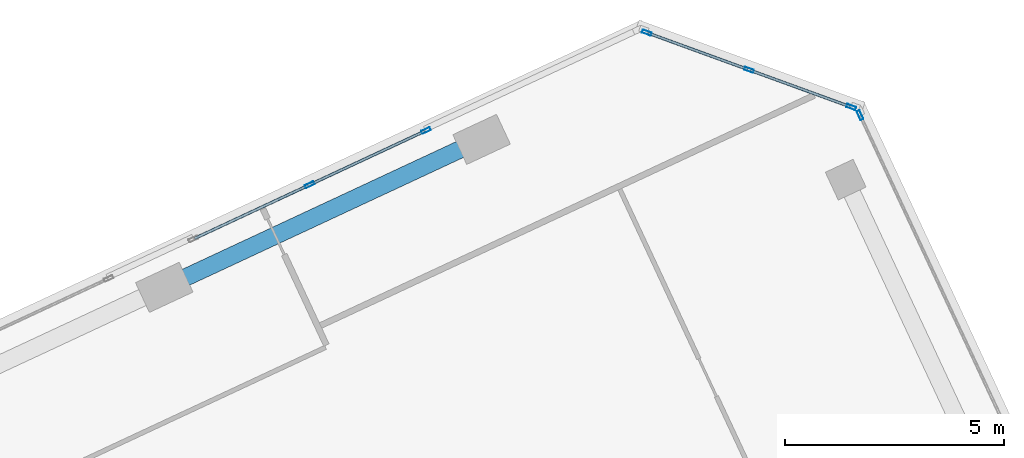
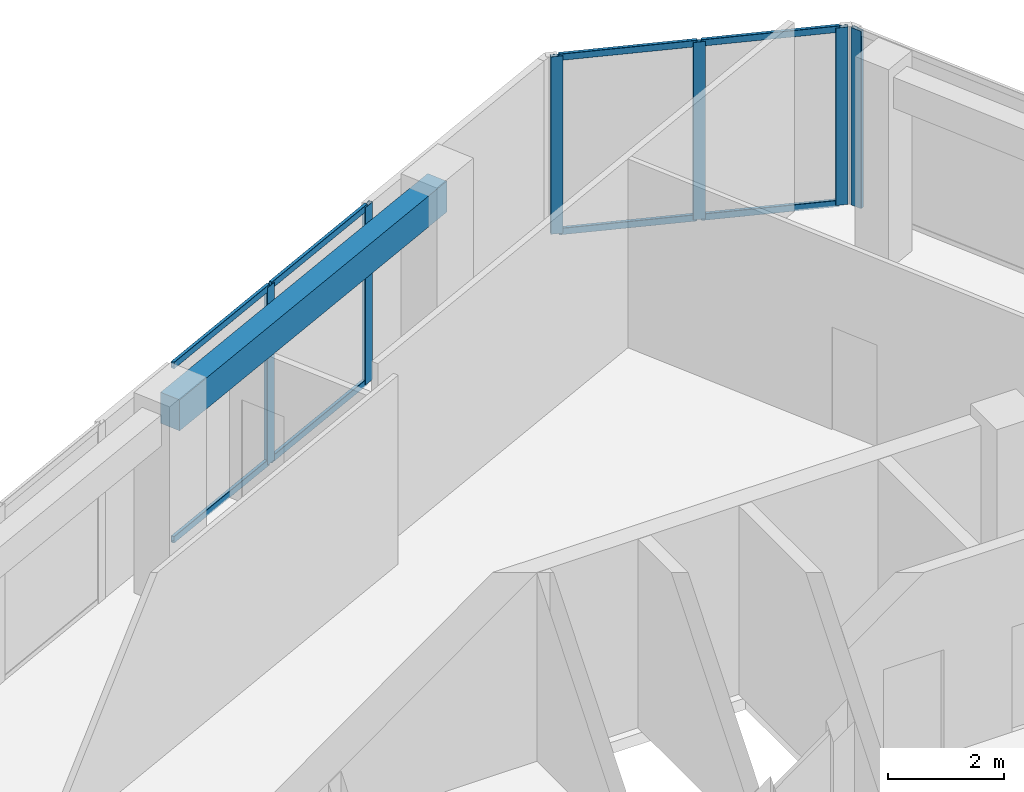
# One storey, part 10 of 17: 14 members, 1 beam, 3 elements without a shape of their own.
"""IFC4 building model written with IfcOpenShell, lengths in metres."""

import ifcopenshell
import ifcopenshell.guid

model = None  # the IFC model being written
_history = None  # IfcOwnerHistory: only IFC2X3 demands one
_inside = {}  # id of a spatial element -> (the spatial element, [elements in it])
_under = {}  # id of a project, library or spatial element -> (it, [spatial elements below it])
_declared = {}  # id of a project -> (the project, [libraries it declares])
_typed = {}  # id of a type object -> (the type object, [elements of that type])
_made_of = {}  # id of a material, layer set ... -> (it, [elements and type objects made of it])


def new_model(schema):
    """Start an empty IFC model of exactly this schema.

    Asked for "IFC4X3", IfcOpenShell would pick the latest addendum, in which some entities
    have other attributes; the version numbers below select the first issue.
    IFC2X3 requires an IfcOwnerHistory on every rooted entity: one is made here for all.
    """
    global model, _history
    if schema == "IFC4X3":
        model = ifcopenshell.file(schema_version=(4, 3, 0, 0))
    else:
        model = ifcopenshell.file(schema=schema)
    _inside.clear()
    _under.clear()
    _declared.clear()
    _typed.clear()
    _made_of.clear()
    _history = None
    if model.schema == "IFC2X3":
        org = make("IfcOrganization", Name="unknown")
        user = make(
            "IfcPersonAndOrganization",
            ThePerson=make("IfcPerson", FamilyName="unknown"),
            TheOrganization=org,
        )
        app = make(
            "IfcApplication",
            ApplicationDeveloper=org,
            Version="unknown",
            ApplicationFullName="unknown",
            ApplicationIdentifier="unknown",
        )
        _history = make(
            "IfcOwnerHistory",
            OwningUser=user,
            OwningApplication=app,
            ChangeAction="ADDED",
            CreationDate=0,
        )
    return model


def make(cls, **values):
    """One entity of the class cls with the attributes given. An attribute that is None is left unset."""
    return model.create_entity(
        cls, **{name: value for name, value in values.items() if value is not None}
    )


def rooted(cls, **values):
    """An entity with a GlobalId (a new one), such as an element, a storey or a relation."""
    return make(cls, GlobalId=ifcopenshell.guid.new(), OwnerHistory=_history, **values)


def si_unit(unit_type, name, prefix=None):
    """IfcSIUnit, for example si_unit("LENGTHUNIT", "METRE", prefix="MILLI")."""
    return make("IfcSIUnit", UnitType=unit_type, Prefix=prefix, Name=name)


def assignment(units):
    """IfcUnitAssignment: the units of a project."""
    return None if units is None else make("IfcUnitAssignment", Units=units)


def point(xyz):
    """IfcCartesianPoint."""
    return None if xyz is None else make("IfcCartesianPoint", Coordinates=xyz)


def direction(xyz):
    """IfcDirection."""
    return None if xyz is None else make("IfcDirection", DirectionRatios=xyz)


def frame(location, z_axis=None, x_axis=None):
    """IfcAxis2Placement3D, a coordinate frame: its origin and axes. An axis left out is left unset."""
    return make(
        "IfcAxis2Placement3D",
        Location=point(location),
        Axis=direction(z_axis),
        RefDirection=direction(x_axis),
    )


def frame_2d(location, x_axis=None):
    """IfcAxis2Placement2D, a coordinate frame in the plane: its origin and x axis."""
    return make(
        "IfcAxis2Placement2D", Location=point(location), RefDirection=direction(x_axis)
    )


def origin():
    """The frame at (0, 0, 0) with its axes left unset."""
    return frame((0.0, 0.0, 0.0))


def origin_2d():
    """The frame at (0, 0) in the plane with its x axis left unset."""
    return frame_2d((0.0, 0.0))


def place(relative_to, where):
    """IfcLocalPlacement: puts the frame where relative to a parent placement (None: the world)."""
    return make(
        "IfcLocalPlacement", PlacementRelTo=relative_to, RelativePlacement=where
    )


def context(
    kind, dimensions, precision=None, world=None, true_north=None, identifier=None
):
    """IfcGeometricRepresentationContext, for example the 3D "Model" context."""
    return make(
        "IfcGeometricRepresentationContext",
        ContextIdentifier=identifier,
        ContextType=kind,
        CoordinateSpaceDimension=dimensions,
        Precision=precision,
        WorldCoordinateSystem=world,
        TrueNorth=true_north,
    )


def subcontext(parent, identifier, kind, view, scale=None):
    """IfcGeometricRepresentationSubContext, for example "Body" below "Model"."""
    return make(
        "IfcGeometricRepresentationSubContext",
        ContextIdentifier=identifier,
        ContextType=kind,
        ParentContext=parent,
        TargetScale=scale,
        TargetView=view,
    )


def project(units=None, contexts=None):
    """IfcProject with its units and contexts."""
    return rooted(
        "IfcProject",
        Name="project",
        RepresentationContexts=contexts,
        UnitsInContext=assignment(units),
    )


def spatial(cls, under=None, at=None, **own):
    """A site, building, storey or space (cls), placed at a placement, below another one or the project."""
    s = rooted(cls, ObjectPlacement=at, **own)
    if under is not None:
        _under.setdefault(under.id(), (under, []))[1].append(s)
    return s


def profile(cls, at=None, kind="AREA", **sizes):
    """A parametric profile (cls). Its sizes go by their IFC names, for example OverallWidth=200.0."""
    return make(cls, ProfileType=kind, Position=at, **sizes)


def rectangle(**sizes):
    """IfcRectangleProfileDef."""
    return profile("IfcRectangleProfileDef", **sizes)


def hollow_rectangle(**sizes):
    """IfcRectangleHollowProfileDef."""
    return profile("IfcRectangleHollowProfileDef", **sizes)


def extrude(swept, where, along, depth):
    """IfcExtrudedAreaSolid: the profile swept, set in the frame where, extruded along a direction by depth."""
    return make(
        "IfcExtrudedAreaSolid",
        SweptArea=swept,
        Position=where,
        ExtrudedDirection=direction(along),
        Depth=depth,
    )


def shape(context_of_items, identifier, shape_type, items):
    """IfcShapeRepresentation: the items that make up one representation, for example the "Body"."""
    return make(
        "IfcShapeRepresentation",
        ContextOfItems=context_of_items,
        RepresentationIdentifier=identifier,
        RepresentationType=shape_type,
        Items=items,
    )


def source(mapping_origin, context_of_items, identifier, shape_type, items):
    """IfcRepresentationMap: a shape defined once, which mapped items show again and again."""
    return make(
        "IfcRepresentationMap",
        MappingOrigin=mapping_origin,
        MappedRepresentation=shape(context_of_items, identifier, shape_type, items),
    )


def transform(
    local_origin,
    x_axis=None,
    y_axis=None,
    z_axis=None,
    scale=None,
    scale2=None,
    scale3=None,
    uniform=True,
):
    """IfcCartesianTransformationOperator3D, or its non-uniform kind. x_axis, y_axis, z_axis: its Axis1, 2, 3."""
    if uniform:
        return make(
            "IfcCartesianTransformationOperator3D",
            Axis1=direction(x_axis),
            Axis2=direction(y_axis),
            LocalOrigin=point(local_origin),
            Scale=scale,
            Axis3=direction(z_axis),
        )
    return make(
        "IfcCartesianTransformationOperator3DnonUniform",
        Axis1=direction(x_axis),
        Axis2=direction(y_axis),
        LocalOrigin=point(local_origin),
        Scale=scale,
        Axis3=direction(z_axis),
        Scale2=scale2,
        Scale3=scale3,
    )


def mapped(mapping_source, mapping_target):
    """IfcMappedItem: shows the shape of a source again, moved by a transform."""
    return make(
        "IfcMappedItem", MappingSource=mapping_source, MappingTarget=mapping_target
    )


def material(Name=None, Category=None):
    """IfcMaterial."""
    return make("IfcMaterial", Name=Name, Category=Category)


def material_profile(
    of_material, cross_section, Name=None, Category=None, Priority=None
):
    """IfcMaterialProfile: a cross section and its material."""
    return make(
        "IfcMaterialProfile",
        Name=Name,
        Material=of_material,
        Profile=cross_section,
        Priority=Priority,
        Category=Category,
    )


def profile_set(profiles, Name=None, composite=None):
    """IfcMaterialProfileSet."""
    return make(
        "IfcMaterialProfileSet",
        Name=Name,
        MaterialProfiles=profiles,
        CompositeProfile=composite,
    )


def made_of(thing, what):
    """Note that an element or type object is made of a material, layer set ...; save() writes the relation."""
    if what is not None:
        _made_of.setdefault(what.id(), (what, []))[1].append(thing)
    return thing


def type_object(cls, material=None, **own):
    """A type object (cls), such as IfcWallType, which elements share."""
    return made_of(rooted(cls, **own), material)


def element(
    cls,
    number,
    at=None,
    inside=None,
    cuts=None,
    type_object=None,
    material=None,
    context=None,
    identifier="Body",
    shape_type=None,
    held_by="IfcProductDefinitionShape",
    body=None,
    shapes=None,
    **own,
):
    """One element of the class cls, such as IfcWall. Its Tag is "e" and its number.

    at: its placement. inside: the storey or other place that contains it. cuts: it is an
    opening in that element (IfcRelVoidsElement). A single representation is given by context,
    identifier, shape_type and body (its items); several are given by shapes. held_by: the class
    of the entity that holds the representations. save() writes the other relations.
    """
    e = rooted(cls, Tag="e%d" % number, ObjectPlacement=at, **own)
    if body is not None:
        shapes = [shape(context, identifier, shape_type, body)]
    if shapes is not None:
        e.Representation = make(held_by, Representations=shapes)
    if inside is not None:
        _inside.setdefault(inside.id(), (inside, []))[1].append(e)
    if cuts is not None:
        rooted(
            "IfcRelVoidsElement", RelatingBuildingElement=cuts, RelatedOpeningElement=e
        )
    if type_object is not None:
        _typed.setdefault(type_object.id(), (type_object, []))[1].append(e)
    return made_of(e, material)


def aggregate(whole, parts):
    """IfcRelAggregates: a whole, such as a stair, and the parts it consists of."""
    return rooted("IfcRelAggregates", RelatingObject=whole, RelatedObjects=parts)


def save(model, path):
    """Write the relations noted so far, then the file.

    IfcRelAggregates (storeys below a building ...), IfcRelContainedInSpatialStructure (elements
    in a storey), IfcRelDefinesByType, IfcRelAssociatesMaterial and IfcRelDeclares: one each for
    every whole, place, type object, material and project.
    """
    for whole, parts in _under.values():
        aggregate(whole, parts)
    for where, things in _inside.values():
        rooted(
            "IfcRelContainedInSpatialStructure",
            RelatedElements=things,
            RelatingStructure=where,
        )
    for kind, things in _typed.values():
        rooted("IfcRelDefinesByType", RelatedObjects=things, RelatingType=kind)
    for what, things in _made_of.values():
        rooted("IfcRelAssociatesMaterial", RelatedObjects=things, RelatingMaterial=what)
    for by, libraries in _declared.values():
        rooted("IfcRelDeclares", RelatingContext=by, RelatedDefinitions=libraries)
    model.write(path)


model = new_model("IFC4")

# Units and contexts
model_context = context("Model", 3, precision=1e-05, world=origin(), true_north=direction((0.0, 1.0)))
body_context = subcontext(model_context, "Body", "Model", "MODEL_VIEW")
ifc_project = project(units=[si_unit("LENGTHUNIT", "METRE"), si_unit("AREAUNIT", "SQUARE_METRE"), si_unit("VOLUMEUNIT", "CUBIC_METRE"), si_unit("PLANEANGLEUNIT", "RADIAN"), si_unit("MASSUNIT", "GRAM", prefix="KILO")], contexts=[model_context])

# Site, building, storey
site_placement = place(None, origin())
site = spatial("IfcSite", under=ifc_project, at=site_placement, CompositionType="ELEMENT")
building_placement = place(site_placement, origin())
building = spatial("IfcBuilding", under=site, at=building_placement, Name="Torre Montelarca", CompositionType="ELEMENT")
storey_placement = place(building_placement, frame((0.0, 0.0, 340.800048828125)))
storey = spatial("IfcBuildingStorey", under=building, at=storey_placement, Name="L77", CompositionType="ELEMENT", Elevation=340.800048828125)

# Beam
ifc_material_1 = material(Name="Concrete C40/50", Category="concrete")
ifc_material_profile_1 = material_profile(ifc_material_1, rectangle(XDim=0.39990234375, YDim=0.64990234375, at=origin_2d()), Name="RCB400X650", Category="concrete")
ifc_profile_set_1 = profile_set([ifc_material_profile_1], Name="Concrete C40/50")
beam_type = type_object("IfcBeamType", Name="BM-SP-RC650-EXT", PredefinedType="SPANDREL", material=ifc_profile_set_1)
shared_shape_1 = source(origin(), body_context, "Body", "SweptSolid", [
    extrude(rectangle(XDim=0.39990234375, YDim=0.64990234375, at=origin_2d()), origin(), (0.0, 0.0, 1.0), 8.0),
])
beam_placement = place(storey_placement, frame((14.37890625, 47.271240234375, 3.635009765625), z_axis=(0.906312519031, 0.422608113797, 0.0), x_axis=(-0.422608113797, 0.906312519031, 0.0)))
element("IfcBeam", 1, at=beam_placement, inside=storey, type_object=beam_type, Name="L77 Grid Girder Y 32.0-40.0 at X=4.7", PredefinedType="SPANDREL", context=body_context, shape_type="MappedRepresentation", body=[
    mapped(shared_shape_1, transform((0.0, 0.0, 0.0), scale=1.0)),
])

# Curtain wall, member
ifc_material_2 = material(Name="Insulated low-E laminated glass", Category="glass")
curtain_wall_type = type_object("IfcCurtainWallType", Name="CW-SYS-Z4", PredefinedType="USERDEFINED", material=ifc_material_2)
curtain_wall_1_placement = place(storey_placement, origin())
curtain_wall_1 = element("IfcCurtainWall", 2, at=curtain_wall_1_placement, inside=storey, type_object=curtain_wall_type, Name="L77 Curtain Wall Run CW-T3-L77-E08-B1", ObjectType="UNITISED GLAZING", PredefinedType="USERDEFINED")
ifc_material_3 = material(Name="Anodised aluminium AA 6063-T6", Category="aluminium")
ifc_material_profile_2 = material_profile(ifc_material_3, hollow_rectangle(XDim=0.074951171875, YDim=0.219970703125, WallThickness=0.0048828125, InnerFilletRadius=0.0048828125, OuterFilletRadius=0.010009765625, at=origin_2d()), Name="ALU75X220X5", Category="aluminium")
ifc_profile_set_2 = profile_set([ifc_material_profile_2], Name="Anodised aluminium AA 6063-T6")
member_type_1 = type_object("IfcMemberType", Name="CWM-ALU220", PredefinedType="MULLION", material=ifc_profile_set_2)
shared_shape_2 = source(origin(), body_context, "Body", "SweptSolid", [
    extrude(hollow_rectangle(XDim=0.074951171875, YDim=0.219970703125, WallThickness=0.0048828125, InnerFilletRadius=0.0048828125, OuterFilletRadius=0.010009765625, at=origin_2d()), origin(), (0.0, 0.0, 1.0), 3.719970703125),
])
member_1_placement = place(storey_placement, frame((30.27587890625, 51.204833984375, 0.0), z_axis=(0.0, 0.0, 1.0), x_axis=(-0.906309431792, -0.422614734533, 0.0)))
member_1 = element("IfcMember", 3, at=member_1_placement, type_object=member_type_1, Name="CW mullion 5", PredefinedType="MULLION", context=body_context, shape_type="MappedRepresentation", body=[
    mapped(shared_shape_2, transform((0.0, 0.0, 0.0), scale=1.0)),
])
aggregate(curtain_wall_1, [member_1])

# Curtain wall, members
curtain_wall_2_placement = place(storey_placement, origin())
curtain_wall_2 = element("IfcCurtainWall", 4, at=curtain_wall_2_placement, inside=storey, type_object=curtain_wall_type, Name="L77 Curtain Wall Run CW-T3-L77-E09-B1", ObjectType="UNITISED GLAZING", PredefinedType="USERDEFINED")
member_2_placement = place(storey_placement, frame((30.072265625, 51.3916015625, 0.0), z_axis=(0.0, 0.0, 1.0), x_axis=(-0.342015350618, -0.939694365175, 0.0)))
member_2 = element("IfcMember", 5, at=member_2_placement, type_object=member_type_1, Name="CW mullion 1", PredefinedType="MULLION", context=body_context, shape_type="MappedRepresentation", body=[
    mapped(shared_shape_2, transform((0.0, 0.0, 0.0), scale=1.0)),
])
member_3_placement = place(storey_placement, frame((27.73828125, 52.240966796875, 0.0), z_axis=(0.0, 0.0, 1.0), x_axis=(-0.342015350618, -0.939694365175, 0.0)))
member_3 = element("IfcMember", 6, at=member_3_placement, type_object=member_type_1, Name="CW mullion 2", PredefinedType="MULLION", context=body_context, shape_type="MappedRepresentation", body=[
    mapped(shared_shape_2, transform((0.0, 0.0, 0.0), scale=1.0)),
])
member_4_placement = place(storey_placement, frame((25.404541015625, 53.09033203125, 0.0), z_axis=(0.0, 0.0, 1.0), x_axis=(-0.342015350618, -0.939694365175, 0.0)))
member_4 = element("IfcMember", 7, at=member_4_placement, type_object=member_type_1, Name="CW mullion 3", PredefinedType="MULLION", context=body_context, shape_type="MappedRepresentation", body=[
    mapped(shared_shape_2, transform((0.0, 0.0, 0.0), scale=1.0)),
])

curtain_wall_3_placement = place(storey_placement, origin())
curtain_wall_3 = element("IfcCurtainWall", 8, at=curtain_wall_3_placement, inside=storey, type_object=curtain_wall_type, Name="L77 Curtain Wall Run CW-T3-L77-E10-B1", ObjectType="UNITISED GLAZING", PredefinedType="USERDEFINED")
member_5_placement = place(storey_placement, frame((20.357421875, 50.853515625, 0.0), z_axis=(0.0, 0.0, 1.0), x_axis=(0.422615406611, -0.9063091184, 0.0)))
member_5 = element("IfcMember", 9, at=member_5_placement, type_object=member_type_1, Name="CW mullion 1", PredefinedType="MULLION", context=body_context, shape_type="MappedRepresentation", body=[
    mapped(shared_shape_2, transform((0.0, 0.0, 0.0), scale=1.0)),
])
member_6_placement = place(storey_placement, frame((17.69970703125, 49.6142578125, 0.0), z_axis=(0.0, 0.0, 1.0), x_axis=(0.422615406611, -0.9063091184, 0.0)))
member_6 = element("IfcMember", 10, at=member_6_placement, type_object=member_type_1, Name="CW mullion 2", PredefinedType="MULLION", context=body_context, shape_type="MappedRepresentation", body=[
    mapped(shared_shape_2, transform((0.0, 0.0, 0.0), scale=1.0)),
])

# Member
ifc_material_profile_3 = material_profile(ifc_material_3, hollow_rectangle(XDim=0.06494140625, YDim=0.139892578125, WallThickness=0.00390625, InnerFilletRadius=0.00390625, OuterFilletRadius=0.008056640625, at=origin_2d()), Name="ALU65X140X4", Category="aluminium")
ifc_profile_set_3 = profile_set([ifc_material_profile_3], Name="Anodised aluminium AA 6063-T6")
member_type_2 = type_object("IfcMemberType", Name="CWT-ALU140", PredefinedType="USERDEFINED", material=ifc_profile_set_3)
shared_shape_3 = source(origin(), body_context, "Body", "SweptSolid", [
    extrude(hollow_rectangle(XDim=0.06494140625, YDim=0.139892578125, WallThickness=0.00390625, InnerFilletRadius=0.00390625, OuterFilletRadius=0.008056640625, at=origin_2d()), origin(), (0.0, 0.0, 1.0), 2.40869140625),
])
member_7_placement = place(storey_placement, frame((27.703125, 52.253662109375, 0.032470703125), z_axis=(-0.939672032915, 0.342076702739, 0.0), x_axis=(-0.342076702739, -0.939672032915, 0.0)))
member_7 = element("IfcMember", 11, at=member_7_placement, type_object=member_type_2, Name="CW transom 2.1", ObjectType="TRANSOM", PredefinedType="USERDEFINED", context=body_context, shape_type="MappedRepresentation", body=[
    mapped(shared_shape_3, transform((0.0, 0.0, 0.0), scale=1.0)),
])

member_8_placement = place(storey_placement, frame((27.703125, 52.253662109375, 3.6875), z_axis=(-0.939672032915, 0.342076702739, 0.0), x_axis=(-0.342076702739, -0.939672032915, 0.0)))
member_8 = element("IfcMember", 12, at=member_8_placement, type_object=member_type_2, Name="CW transom 2.2", ObjectType="TRANSOM", PredefinedType="USERDEFINED", context=body_context, shape_type="MappedRepresentation", body=[
    mapped(shared_shape_3, transform((0.0, 0.0, 0.0), scale=1.0)),
])

shared_shape_4 = source(origin(), body_context, "Body", "SweptSolid", [
    extrude(hollow_rectangle(XDim=0.06494140625, YDim=0.139892578125, WallThickness=0.00390625, InnerFilletRadius=0.00390625, OuterFilletRadius=0.008056640625, at=origin_2d()), origin(), (0.0, 0.0, 1.0), 2.408447265625),
])
member_9_placement = place(storey_placement, frame((30.036865234375, 51.404296875, 0.032470703125), z_axis=(-0.939692753438, 0.342019778867, 0.0), x_axis=(-0.342019778867, -0.939692753438, 0.0)))
member_9 = element("IfcMember", 13, at=member_9_placement, type_object=member_type_2, Name="CW transom 1.1", ObjectType="TRANSOM", PredefinedType="USERDEFINED", context=body_context, shape_type="MappedRepresentation", body=[
    mapped(shared_shape_4, transform((0.0, 0.0, 0.0), scale=1.0)),
])

member_10_placement = place(storey_placement, frame((30.036865234375, 51.404296875, 3.6875), z_axis=(-0.939692753438, 0.342019778867, 0.0), x_axis=(-0.342019778867, -0.939692753438, 0.0)))
member_10 = element("IfcMember", 14, at=member_10_placement, type_object=member_type_2, Name="CW transom 1.2", ObjectType="TRANSOM", PredefinedType="USERDEFINED", context=body_context, shape_type="MappedRepresentation", body=[
    mapped(shared_shape_4, transform((0.0, 0.0, 0.0), scale=1.0)),
])

aggregate(curtain_wall_2, [member_2, member_3, member_4, member_9, member_10, member_7, member_8])

shared_shape_5 = source(origin(), body_context, "Body", "SweptSolid", [
    extrude(hollow_rectangle(XDim=0.06494140625, YDim=0.139892578125, WallThickness=0.00390625, InnerFilletRadius=0.00390625, OuterFilletRadius=0.008056640625, at=origin_2d()), origin(), (0.0, 0.0, 1.0), 2.857177734375),
])
member_11_placement = place(storey_placement, frame((20.323486328125, 50.837646484375, 0.032470703125), z_axis=(-0.906311888698, -0.422609465589, 0.0), x_axis=(0.422609465589, -0.906311888698, 0.0)))
member_11 = element("IfcMember", 15, at=member_11_placement, type_object=member_type_2, Name="CW transom 1.1", ObjectType="TRANSOM", PredefinedType="USERDEFINED", context=body_context, shape_type="MappedRepresentation", body=[
    mapped(shared_shape_5, transform((0.0, 0.0, 0.0), scale=1.0)),
])

member_12_placement = place(storey_placement, frame((20.323486328125, 50.837646484375, 3.6875), z_axis=(-0.906311888698, -0.422609465589, 0.0), x_axis=(0.422609465589, -0.906311888698, 0.0)))
member_12 = element("IfcMember", 16, at=member_12_placement, type_object=member_type_2, Name="CW transom 1.2", ObjectType="TRANSOM", PredefinedType="USERDEFINED", context=body_context, shape_type="MappedRepresentation", body=[
    mapped(shared_shape_5, transform((0.0, 0.0, 0.0), scale=1.0)),
])

member_13_placement = place(storey_placement, frame((17.665771484375, 49.598388671875, 0.032470703125), z_axis=(-0.906311888698, -0.422609465589, 0.0), x_axis=(0.422609465589, -0.906311888698, 0.0)))
member_13 = element("IfcMember", 17, at=member_13_placement, type_object=member_type_2, Name="CW transom 2.1", ObjectType="TRANSOM", PredefinedType="USERDEFINED", context=body_context, shape_type="MappedRepresentation", body=[
    mapped(shared_shape_5, transform((0.0, 0.0, 0.0), scale=1.0)),
])

member_14_placement = place(storey_placement, frame((17.665771484375, 49.598388671875, 3.6875), z_axis=(-0.906311888698, -0.422609465589, 0.0), x_axis=(0.422609465589, -0.906311888698, 0.0)))
member_14 = element("IfcMember", 18, at=member_14_placement, type_object=member_type_2, Name="CW transom 2.2", ObjectType="TRANSOM", PredefinedType="USERDEFINED", context=body_context, shape_type="MappedRepresentation", body=[
    mapped(shared_shape_5, transform((0.0, 0.0, 0.0), scale=1.0)),
])

aggregate(curtain_wall_3, [member_5, member_6, member_11, member_12, member_13, member_14])

save(model, "model.ifc")
